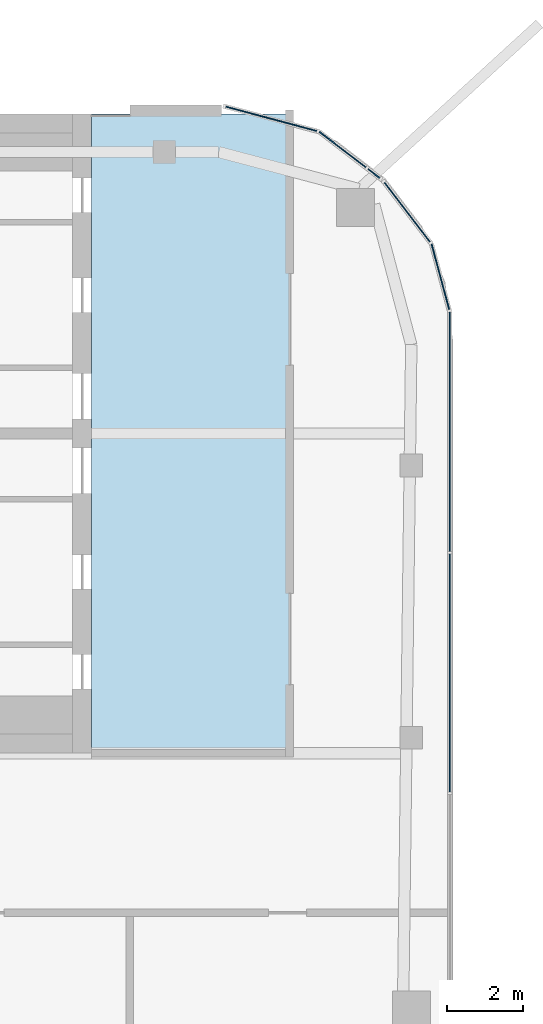
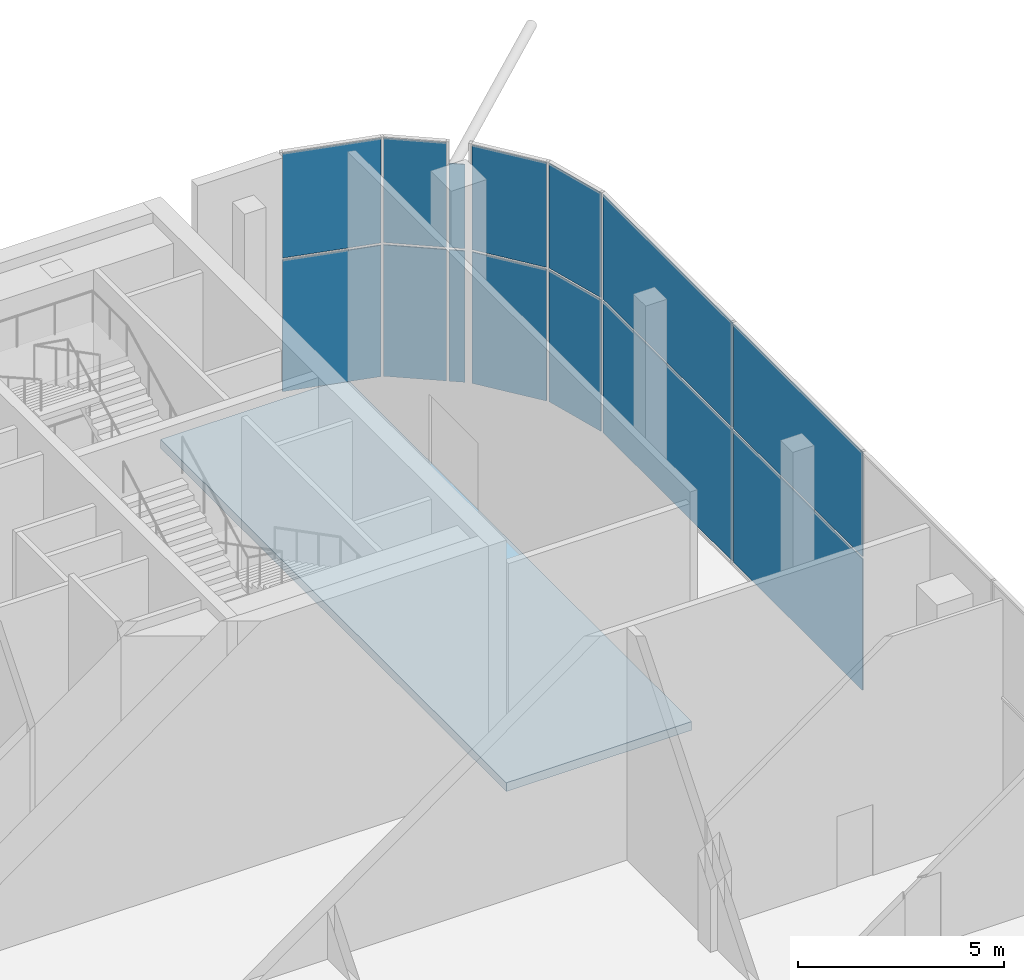
# One storey, part 17 of 23: 14 plates, 1 slab, 6 elements without a shape of their own.
"""IFC4 building model written with IfcOpenShell, lengths in metres."""

from ifc_helpers import new_model, si_unit, direction, frame, origin, origin_2d, place, context, subcontext, project, spatial, polyline, rectangle, outline, extrude, material, layer, layer_set, type_object, element, aggregate, save


model = new_model("IFC4")

# Units and contexts
model_context = context("Model", 3, precision=1e-05, world=origin(), true_north=direction((0.0, 1.0)))
body_context = subcontext(model_context, "Body", "Model", "MODEL_VIEW")
ifc_project = project(units=[si_unit("LENGTHUNIT", "METRE"), si_unit("AREAUNIT", "SQUARE_METRE"), si_unit("VOLUMEUNIT", "CUBIC_METRE"), si_unit("PLANEANGLEUNIT", "RADIAN"), si_unit("MASSUNIT", "GRAM", prefix="KILO")], contexts=[model_context])

# Site, building, storey
site_placement = place(None, origin())
site = spatial("IfcSite", under=ifc_project, at=site_placement, CompositionType="ELEMENT")
building_placement = place(site_placement, origin())
building = spatial("IfcBuilding", under=site, at=building_placement, Name="Marenta Gate Hotel Tower", CompositionType="ELEMENT")
storey_placement = place(building_placement, frame((0.0, 0.0, 288.5)))
storey = spatial("IfcBuildingStorey", under=building, at=storey_placement, Name="L66", CompositionType="ELEMENT", Elevation=288.5)

# Slab
ifc_material_1 = material(Name="Concrete C40", Category="concrete")
ifc_layer_1 = layer(ifc_material_1, 0.260009765625)
ifc_layer_set_1 = layer_set([ifc_layer_1], Name="Concrete C40")
slab_type = type_object("IfcSlabType", Name="Core floor slab 260", PredefinedType="FLOOR", material=ifc_layer_set_1)
slab_placement = place(storey_placement, frame((0.0, 0.0, -0.260009765625)))
element("IfcSlab", 1, at=slab_placement, inside=storey, type_object=slab_type, Name="L66-CF-1", PredefinedType="FLOOR", context=body_context, shape_type="SweptSolid", body=[
    extrude(outline(polyline([(11.60009765625, 0.0), (11.60009765625, 16.800048828125), (16.800048828125, 16.800048828125), (16.800048828125, 0.0), (11.60009765625, 0.0)])), origin(), (0.0, 0.0, 1.0), 0.260009765625),
])

# Curtain wall, plates
ifc_material_2 = material(Name="Tinted insulated glass in bronze anodised frame", Category="glass")
ifc_layer_2 = layer(ifc_material_2, 0.1201171875)
ifc_layer_set_2 = layer_set([ifc_layer_2], Name="Tinted insulated glass in bronze anodised frame")
curtain_wall_type = type_object("IfcCurtainWallType", Name="Sky restaurant glazing CW4", PredefinedType="NOTDEFINED", material=ifc_layer_set_2)
curtain_wall_1_placement = place(storey_placement, origin())
curtain_wall_1 = element("IfcCurtainWall", 2, at=curtain_wall_1_placement, inside=storey, type_object=curtain_wall_type, Name="CW4 run G19", PredefinedType="NOTDEFINED")
ifc_material_3 = material(Name="Tinted insulated glass", Category="glass")
ifc_layer_3 = layer(ifc_material_3, 0.030029296875)
ifc_layer_set_3 = layer_set([ifc_layer_3], Name="Tinted insulated glass")
plate_type = type_object("IfcPlateType", Name="Glass panel CW4 30 mm tinted insulated unit", PredefinedType="CURTAIN_PANEL", material=ifc_layer_set_3)
plate_1_placement = place(storey_placement, frame((21.013916015625, 2.10791015625, 0.070068359375), z_axis=(0.0, 0.0, 1.0), x_axis=(0.0, 1.0, 0.0)))
plate_1 = element("IfcPlate", 3, at=plate_1_placement, type_object=plate_type, Name="CW4 panel 5.1", PredefinedType="CURTAIN_PANEL", context=body_context, shape_type="SweptSolid", body=[
    extrude(rectangle(XDim=6.252685546875, YDim=0.030029296875, at=origin_2d()), origin(), (0.0, 0.0, 1.0), 3.89501953125),
])
plate_2_placement = place(storey_placement, frame((21.013916015625, 2.10791015625, 4.03515625), z_axis=(0.0, 0.0, 1.0), x_axis=(0.0, 1.0, 0.0)))
plate_2 = element("IfcPlate", 4, at=plate_2_placement, type_object=plate_type, Name="CW4 panel 5.2", PredefinedType="CURTAIN_PANEL", context=body_context, shape_type="SweptSolid", body=[
    extrude(rectangle(XDim=6.252685546875, YDim=0.030029296875, at=origin_2d()), origin(), (0.0, 0.0, 1.0), 3.094970703125),
])
plate_3_placement = place(storey_placement, frame((21.013916015625, 8.447998046875, 0.070068359375), z_axis=(0.0, 0.0, 1.0), x_axis=(0.0, 1.0, 0.0)))
plate_3 = element("IfcPlate", 5, at=plate_3_placement, type_object=plate_type, Name="CW4 panel 6.1", PredefinedType="CURTAIN_PANEL", context=body_context, shape_type="SweptSolid", body=[
    extrude(rectangle(XDim=6.28759765625, YDim=0.030029296875, at=origin_2d()), origin(), (0.0, 0.0, 1.0), 3.89501953125),
])
plate_4_placement = place(storey_placement, frame((21.013916015625, 8.447998046875, 4.03515625), z_axis=(0.0, 0.0, 1.0), x_axis=(0.0, 1.0, 0.0)))
plate_4 = element("IfcPlate", 6, at=plate_4_placement, type_object=plate_type, Name="CW4 panel 6.2", PredefinedType="CURTAIN_PANEL", context=body_context, shape_type="SweptSolid", body=[
    extrude(rectangle(XDim=6.28759765625, YDim=0.030029296875, at=origin_2d()), origin(), (0.0, 0.0, 1.0), 3.094970703125),
])
aggregate(curtain_wall_1, [plate_1, plate_2, plate_3, plate_4])

curtain_wall_2_placement = place(storey_placement, origin())
curtain_wall_2 = element("IfcCurtainWall", 7, at=curtain_wall_2_placement, inside=storey, type_object=curtain_wall_type, Name="CW4 run G20", PredefinedType="NOTDEFINED")
plate_5_placement = place(storey_placement, frame((20.764892578125, 12.52099609375, 0.070068359375), z_axis=(0.0, 0.0, 1.0), x_axis=(-0.258824166754, 0.965924453932, 0.0)))
plate_5 = element("IfcPlate", 8, at=plate_5_placement, type_object=plate_type, Name="CW4 panel 1.1", PredefinedType="CURTAIN_PANEL", context=body_context, shape_type="SweptSolid", body=[
    extrude(rectangle(XDim=1.78369140625, YDim=0.030029296875, at=origin_2d()), origin(), (0.0, 0.0, 1.0), 3.89501953125),
])
plate_6_placement = place(storey_placement, frame((20.764892578125, 12.52099609375, 4.03515625), z_axis=(0.0, 0.0, 1.0), x_axis=(-0.258824166754, 0.965924453932, 0.0)))
plate_6 = element("IfcPlate", 9, at=plate_6_placement, type_object=plate_type, Name="CW4 panel 1.2", PredefinedType="CURTAIN_PANEL", context=body_context, shape_type="SweptSolid", body=[
    extrude(rectangle(XDim=1.78369140625, YDim=0.030029296875, at=origin_2d()), origin(), (0.0, 0.0, 1.0), 3.094970703125),
])
aggregate(curtain_wall_2, [plate_5, plate_6])

curtain_wall_3_placement = place(storey_placement, origin())
curtain_wall_3 = element("IfcCurtainWall", 10, at=curtain_wall_3_placement, inside=storey, type_object=curtain_wall_type, Name="CW4 run G21", PredefinedType="NOTDEFINED")
plate_7_placement = place(storey_placement, frame((19.893310546875, 14.217529296875, 0.070068359375), z_axis=(0.0, 0.0, 1.0), x_axis=(-0.608787499222, 0.793333335233, 0.0)))
plate_7 = element("IfcPlate", 11, at=plate_7_placement, type_object=plate_type, Name="CW4 panel 1.1", PredefinedType="CURTAIN_PANEL", context=body_context, shape_type="SweptSolid", body=[
    extrude(rectangle(XDim=1.965087890625, YDim=0.030029296875, at=origin_2d()), origin(), (0.0, 0.0, 1.0), 3.89501953125),
])
plate_8_placement = place(storey_placement, frame((19.893310546875, 14.217529296875, 4.03515625), z_axis=(0.0, 0.0, 1.0), x_axis=(-0.608787499222, 0.793333335233, 0.0)))
plate_8 = element("IfcPlate", 12, at=plate_8_placement, type_object=plate_type, Name="CW4 panel 1.2", PredefinedType="CURTAIN_PANEL", context=body_context, shape_type="SweptSolid", body=[
    extrude(rectangle(XDim=1.965087890625, YDim=0.030029296875, at=origin_2d()), origin(), (0.0, 0.0, 1.0), 3.094970703125),
])
aggregate(curtain_wall_3, [plate_7, plate_8])

curtain_wall_4_placement = place(storey_placement, origin())
curtain_wall_4 = element("IfcCurtainWall", 13, at=curtain_wall_4_placement, inside=storey, type_object=curtain_wall_type, Name="CW4 run G22", PredefinedType="NOTDEFINED")
plate_9_placement = place(storey_placement, frame((19.01611328125, 15.23388671875, 0.070068359375), z_axis=(0.0, 0.0, 1.0), x_axis=(-0.793326414883, 0.608796517278, 0.0)))
plate_9 = element("IfcPlate", 14, at=plate_9_placement, type_object=plate_type, Name="CW4 panel 1.1", PredefinedType="CURTAIN_PANEL", context=body_context, shape_type="SweptSolid", body=[
    extrude(rectangle(XDim=0.39013671875, YDim=0.030029296875, at=origin_2d()), origin(), (0.0, 0.0, 1.0), 3.89501953125),
])
plate_10_placement = place(storey_placement, frame((19.01611328125, 15.23388671875, 4.034912109375), z_axis=(0.0, 0.0, 1.0), x_axis=(-0.793326414883, 0.608796517278, 0.0)))
plate_10 = element("IfcPlate", 15, at=plate_10_placement, type_object=plate_type, Name="CW4 panel 1.2", PredefinedType="CURTAIN_PANEL", context=body_context, shape_type="SweptSolid", body=[
    extrude(rectangle(XDim=0.39013671875, YDim=0.030029296875, at=origin_2d()), origin(), (0.0, 0.0, 1.0), 2.49560546875),
])
aggregate(curtain_wall_4, [plate_9, plate_10])

curtain_wall_5_placement = place(storey_placement, origin())
curtain_wall_5 = element("IfcCurtainWall", 16, at=curtain_wall_5_placement, inside=storey, type_object=curtain_wall_type, Name="CW4 run G23", PredefinedType="NOTDEFINED")
plate_11_placement = place(storey_placement, frame((18.194091796875, 15.86474609375, 0.070068359375), z_axis=(0.0, 0.0, 1.0), x_axis=(-0.793326743179, 0.608796089473, 0.0)))
plate_11 = element("IfcPlate", 17, at=plate_11_placement, type_object=plate_type, Name="CW4 panel 1.1", PredefinedType="CURTAIN_PANEL", context=body_context, shape_type="SweptSolid", body=[
    extrude(rectangle(XDim=1.542236328125, YDim=0.030029296875, at=origin_2d()), origin(), (0.0, 0.0, 1.0), 3.89501953125),
])
plate_12_placement = place(storey_placement, frame((18.194091796875, 15.86474609375, 4.03515625), z_axis=(0.0, 0.0, 1.0), x_axis=(-0.793326743179, 0.608796089473, 0.0)))
plate_12 = element("IfcPlate", 18, at=plate_12_placement, type_object=plate_type, Name="CW4 panel 1.2", PredefinedType="CURTAIN_PANEL", context=body_context, shape_type="SweptSolid", body=[
    extrude(rectangle(XDim=1.542236328125, YDim=0.030029296875, at=origin_2d()), origin(), (0.0, 0.0, 1.0), 3.094970703125),
])
aggregate(curtain_wall_5, [plate_11, plate_12])

curtain_wall_6_placement = place(storey_placement, origin())
curtain_wall_6 = element("IfcCurtainWall", 19, at=curtain_wall_6_placement, inside=storey, type_object=curtain_wall_type, Name="CW4 run G24", PredefinedType="NOTDEFINED")
plate_13_placement = place(storey_placement, frame((16.319580078125, 16.672607421875, 0.070068359375), z_axis=(0.0, 0.0, 1.0), x_axis=(-0.96592961764, 0.258804895175, 0.0)))
plate_13 = element("IfcPlate", 20, at=plate_13_placement, type_object=plate_type, Name="CW4 panel 1.1", PredefinedType="CURTAIN_PANEL", context=body_context, shape_type="SweptSolid", body=[
    extrude(rectangle(XDim=2.47509765625, YDim=0.030029296875, at=origin_2d()), origin(), (0.0, 0.0, 1.0), 3.89501953125),
])
plate_14_placement = place(storey_placement, frame((16.319580078125, 16.672607421875, 4.03515625), z_axis=(0.0, 0.0, 1.0), x_axis=(-0.96592961764, 0.258804895175, 0.0)))
plate_14 = element("IfcPlate", 21, at=plate_14_placement, type_object=plate_type, Name="CW4 panel 1.2", PredefinedType="CURTAIN_PANEL", context=body_context, shape_type="SweptSolid", body=[
    extrude(rectangle(XDim=2.47509765625, YDim=0.030029296875, at=origin_2d()), origin(), (0.0, 0.0, 1.0), 3.094970703125),
])
aggregate(curtain_wall_6, [plate_13, plate_14])

save(model, "model.ifc")
